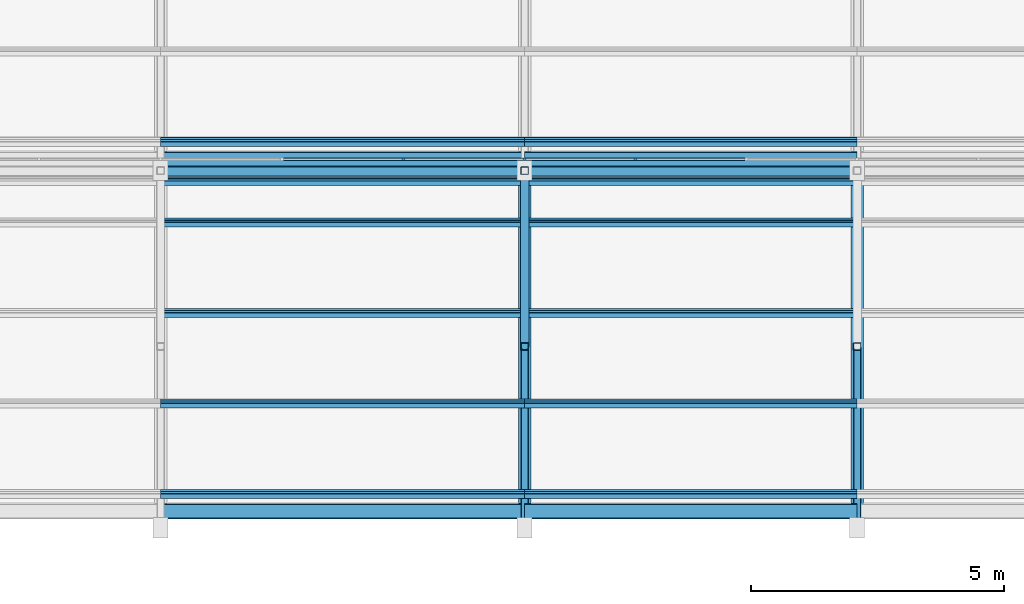
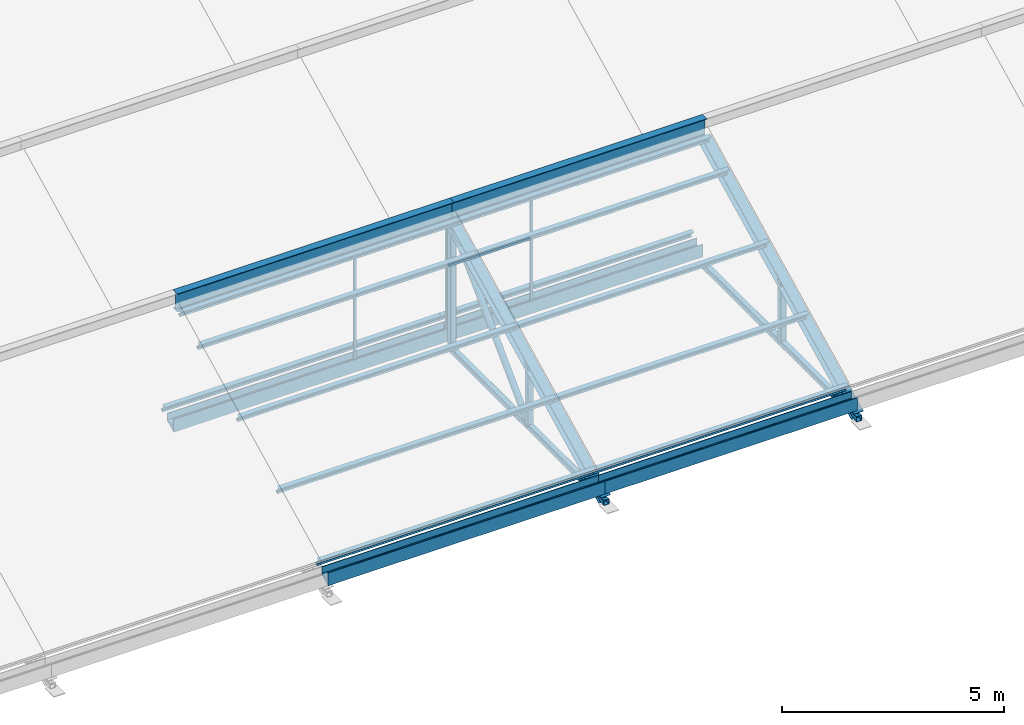
# One storey, part 11 of 83: 33 members, 2 elements without a shape of their own.
"""IFC4 building model written with IfcOpenShell, lengths in metres."""

import ifcopenshell
import ifcopenshell.guid

model = None  # the IFC model being written
_history = None  # IfcOwnerHistory: only IFC2X3 demands one
_inside = {}  # id of a spatial element -> (the spatial element, [elements in it])
_under = {}  # id of a project, library or spatial element -> (it, [spatial elements below it])
_declared = {}  # id of a project -> (the project, [libraries it declares])
_typed = {}  # id of a type object -> (the type object, [elements of that type])
_made_of = {}  # id of a material, layer set ... -> (it, [elements and type objects made of it])


def new_model(schema):
    """Start an empty IFC model of exactly this schema.

    Asked for "IFC4X3", IfcOpenShell would pick the latest addendum, in which some entities
    have other attributes; the version numbers below select the first issue.
    IFC2X3 requires an IfcOwnerHistory on every rooted entity: one is made here for all.
    """
    global model, _history
    if schema == "IFC4X3":
        model = ifcopenshell.file(schema_version=(4, 3, 0, 0))
    else:
        model = ifcopenshell.file(schema=schema)
    _inside.clear()
    _under.clear()
    _declared.clear()
    _typed.clear()
    _made_of.clear()
    _history = None
    if model.schema == "IFC2X3":
        org = make("IfcOrganization", Name="unknown")
        user = make(
            "IfcPersonAndOrganization",
            ThePerson=make("IfcPerson", FamilyName="unknown"),
            TheOrganization=org,
        )
        app = make(
            "IfcApplication",
            ApplicationDeveloper=org,
            Version="unknown",
            ApplicationFullName="unknown",
            ApplicationIdentifier="unknown",
        )
        _history = make(
            "IfcOwnerHistory",
            OwningUser=user,
            OwningApplication=app,
            ChangeAction="ADDED",
            CreationDate=0,
        )
    return model


def make(cls, **values):
    """One entity of the class cls with the attributes given. An attribute that is None is left unset."""
    return model.create_entity(
        cls, **{name: value for name, value in values.items() if value is not None}
    )


def rooted(cls, **values):
    """An entity with a GlobalId (a new one), such as an element, a storey or a relation."""
    return make(cls, GlobalId=ifcopenshell.guid.new(), OwnerHistory=_history, **values)


def si_unit(unit_type, name, prefix=None):
    """IfcSIUnit, for example si_unit("LENGTHUNIT", "METRE", prefix="MILLI")."""
    return make("IfcSIUnit", UnitType=unit_type, Prefix=prefix, Name=name)


def assignment(units):
    """IfcUnitAssignment: the units of a project."""
    return None if units is None else make("IfcUnitAssignment", Units=units)


def point(xyz):
    """IfcCartesianPoint."""
    return None if xyz is None else make("IfcCartesianPoint", Coordinates=xyz)


def direction(xyz):
    """IfcDirection."""
    return None if xyz is None else make("IfcDirection", DirectionRatios=xyz)


def frame(location, z_axis=None, x_axis=None):
    """IfcAxis2Placement3D, a coordinate frame: its origin and axes. An axis left out is left unset."""
    return make(
        "IfcAxis2Placement3D",
        Location=point(location),
        Axis=direction(z_axis),
        RefDirection=direction(x_axis),
    )


def frame_2d(location, x_axis=None):
    """IfcAxis2Placement2D, a coordinate frame in the plane: its origin and x axis."""
    return make(
        "IfcAxis2Placement2D", Location=point(location), RefDirection=direction(x_axis)
    )


def origin():
    """The frame at (0, 0, 0) with its axes left unset."""
    return frame((0.0, 0.0, 0.0))


def origin_2d():
    """The frame at (0, 0) in the plane with its x axis left unset."""
    return frame_2d((0.0, 0.0))


def place(relative_to, where):
    """IfcLocalPlacement: puts the frame where relative to a parent placement (None: the world)."""
    return make(
        "IfcLocalPlacement", PlacementRelTo=relative_to, RelativePlacement=where
    )


def context(
    kind, dimensions, precision=None, world=None, true_north=None, identifier=None
):
    """IfcGeometricRepresentationContext, for example the 3D "Model" context."""
    return make(
        "IfcGeometricRepresentationContext",
        ContextIdentifier=identifier,
        ContextType=kind,
        CoordinateSpaceDimension=dimensions,
        Precision=precision,
        WorldCoordinateSystem=world,
        TrueNorth=true_north,
    )


def subcontext(parent, identifier, kind, view, scale=None):
    """IfcGeometricRepresentationSubContext, for example "Body" below "Model"."""
    return make(
        "IfcGeometricRepresentationSubContext",
        ContextIdentifier=identifier,
        ContextType=kind,
        ParentContext=parent,
        TargetScale=scale,
        TargetView=view,
    )


def project(units=None, contexts=None):
    """IfcProject with its units and contexts."""
    return rooted(
        "IfcProject",
        Name="project",
        RepresentationContexts=contexts,
        UnitsInContext=assignment(units),
    )


def spatial(cls, under=None, at=None, **own):
    """A site, building, storey or space (cls), placed at a placement, below another one or the project."""
    s = rooted(cls, ObjectPlacement=at, **own)
    if under is not None:
        _under.setdefault(under.id(), (under, []))[1].append(s)
    return s


def polyline(points):
    """IfcPolyline through the points."""
    return make("IfcPolyline", Points=[point(p) for p in points])


def profile(cls, at=None, kind="AREA", **sizes):
    """A parametric profile (cls). Its sizes go by their IFC names, for example OverallWidth=200.0."""
    return make(cls, ProfileType=kind, Position=at, **sizes)


def rectangle(**sizes):
    """IfcRectangleProfileDef."""
    return profile("IfcRectangleProfileDef", **sizes)


def hollow_rectangle(**sizes):
    """IfcRectangleHollowProfileDef."""
    return profile("IfcRectangleHollowProfileDef", **sizes)


def hollow_circle(**sizes):
    """IfcCircleHollowProfileDef."""
    return profile("IfcCircleHollowProfileDef", **sizes)


def i_section(**sizes):
    """IfcIShapeProfileDef."""
    return profile("IfcIShapeProfileDef", **sizes)


def outline(outer, holes=None, kind="AREA"):
    """IfcArbitraryClosedProfileDef: a profile drawn as a closed curve; with holes, ...WithVoids."""
    if holes is None:
        return make("IfcArbitraryClosedProfileDef", ProfileType=kind, OuterCurve=outer)
    return make(
        "IfcArbitraryProfileDefWithVoids",
        ProfileType=kind,
        OuterCurve=outer,
        InnerCurves=holes,
    )


def extrude(swept, where, along, depth):
    """IfcExtrudedAreaSolid: the profile swept, set in the frame where, extruded along a direction by depth."""
    return make(
        "IfcExtrudedAreaSolid",
        SweptArea=swept,
        Position=where,
        ExtrudedDirection=direction(along),
        Depth=depth,
    )


def shape(context_of_items, identifier, shape_type, items):
    """IfcShapeRepresentation: the items that make up one representation, for example the "Body"."""
    return make(
        "IfcShapeRepresentation",
        ContextOfItems=context_of_items,
        RepresentationIdentifier=identifier,
        RepresentationType=shape_type,
        Items=items,
    )


def material(Name=None, Category=None):
    """IfcMaterial."""
    return make("IfcMaterial", Name=Name, Category=Category)


def material_profile(
    of_material, cross_section, Name=None, Category=None, Priority=None
):
    """IfcMaterialProfile: a cross section and its material."""
    return make(
        "IfcMaterialProfile",
        Name=Name,
        Material=of_material,
        Profile=cross_section,
        Priority=Priority,
        Category=Category,
    )


def profile_set(profiles, Name=None, composite=None):
    """IfcMaterialProfileSet."""
    return make(
        "IfcMaterialProfileSet",
        Name=Name,
        MaterialProfiles=profiles,
        CompositeProfile=composite,
    )


def made_of(thing, what):
    """Note that an element or type object is made of a material, layer set ...; save() writes the relation."""
    if what is not None:
        _made_of.setdefault(what.id(), (what, []))[1].append(thing)
    return thing


def type_object(cls, material=None, **own):
    """A type object (cls), such as IfcWallType, which elements share."""
    return made_of(rooted(cls, **own), material)


def element(
    cls,
    number,
    at=None,
    inside=None,
    cuts=None,
    type_object=None,
    material=None,
    context=None,
    identifier="Body",
    shape_type=None,
    held_by="IfcProductDefinitionShape",
    body=None,
    shapes=None,
    **own,
):
    """One element of the class cls, such as IfcWall. Its Tag is "e" and its number.

    at: its placement. inside: the storey or other place that contains it. cuts: it is an
    opening in that element (IfcRelVoidsElement). A single representation is given by context,
    identifier, shape_type and body (its items); several are given by shapes. held_by: the class
    of the entity that holds the representations. save() writes the other relations.
    """
    e = rooted(cls, Tag="e%d" % number, ObjectPlacement=at, **own)
    if body is not None:
        shapes = [shape(context, identifier, shape_type, body)]
    if shapes is not None:
        e.Representation = make(held_by, Representations=shapes)
    if inside is not None:
        _inside.setdefault(inside.id(), (inside, []))[1].append(e)
    if cuts is not None:
        rooted(
            "IfcRelVoidsElement", RelatingBuildingElement=cuts, RelatedOpeningElement=e
        )
    if type_object is not None:
        _typed.setdefault(type_object.id(), (type_object, []))[1].append(e)
    return made_of(e, material)


def aggregate(whole, parts):
    """IfcRelAggregates: a whole, such as a stair, and the parts it consists of."""
    return rooted("IfcRelAggregates", RelatingObject=whole, RelatedObjects=parts)


def save(model, path):
    """Write the relations noted so far, then the file.

    IfcRelAggregates (storeys below a building ...), IfcRelContainedInSpatialStructure (elements
    in a storey), IfcRelDefinesByType, IfcRelAssociatesMaterial and IfcRelDeclares: one each for
    every whole, place, type object, material and project.
    """
    for whole, parts in _under.values():
        aggregate(whole, parts)
    for where, things in _inside.values():
        rooted(
            "IfcRelContainedInSpatialStructure",
            RelatedElements=things,
            RelatingStructure=where,
        )
    for kind, things in _typed.values():
        rooted("IfcRelDefinesByType", RelatedObjects=things, RelatingType=kind)
    for what, things in _made_of.values():
        rooted("IfcRelAssociatesMaterial", RelatedObjects=things, RelatingMaterial=what)
    for by, libraries in _declared.values():
        rooted("IfcRelDeclares", RelatingContext=by, RelatedDefinitions=libraries)
    model.write(path)


model = new_model("IFC4")

# Units and contexts
model_context = context("Model", 3, precision=1e-05, world=origin(), true_north=direction((0.0, 1.0)))
body_context = subcontext(model_context, "Body", "Model", "MODEL_VIEW")
ifc_project = project(units=[si_unit("LENGTHUNIT", "METRE"), si_unit("AREAUNIT", "SQUARE_METRE"), si_unit("VOLUMEUNIT", "CUBIC_METRE"), si_unit("PLANEANGLEUNIT", "RADIAN"), si_unit("MASSUNIT", "GRAM", prefix="KILO")], contexts=[model_context])

# Site, building, storey
site_placement = place(None, origin())
site = spatial("IfcSite", under=ifc_project, at=site_placement, CompositionType="ELEMENT")
building_placement = place(site_placement, origin())
building = spatial("IfcBuilding", under=site, at=building_placement, Name="Silangan Lancet Faculty of Sciences", CompositionType="ELEMENT")
storey_placement = place(building_placement, frame((0.0, 0.0, 11.39990234375)))
storey = spatial("IfcBuildingStorey", under=building, at=storey_placement, Name="L02", CompositionType="ELEMENT", Elevation=11.39990234375)

# Members
ifc_material_1 = material(Name="Steel SS400", Category="steel")
ifc_material_profile_1 = material_profile(ifc_material_1, i_section(OverallWidth=0.199951171875, OverallDepth=0.5, WebThickness=0.010009765625, FlangeThickness=0.01611328125, FilletRadius=0.02001953125, at=origin_2d()), Name="H 500x200x10x16")
ifc_profile_set_1 = profile_set([ifc_material_profile_1], Name="Steel SS400")
member_type_1 = type_object("IfcMemberType", Name="Exposed ridge beam H 500x200x10x16", PredefinedType="MEMBER", material=ifc_profile_set_1)
member_1_placement = place(storey_placement, frame((43.824951171875, 7.191650390625, 3.9326171875), z_axis=(1.0, 0.0, 0.0), x_axis=(0.0, 1.0, 0.0)))
element("IfcMember", 1, at=member_1_placement, inside=storey, type_object=member_type_1, Name="Exposed ridge beam SAB-1-3", PredefinedType="MEMBER", context=body_context, shape_type="SweptSolid", body=[
    extrude(i_section(OverallWidth=0.199951171875, OverallDepth=0.5, WebThickness=0.010009765625, FlangeThickness=0.01611328125, FilletRadius=0.02001953125, at=origin_2d()), origin(), (0.0, 0.0, 1.0), 7.199951171875),
])
member_2_placement = place(storey_placement, frame((51.02490234375, 7.191650390625, 3.9326171875), z_axis=(1.0, 0.0, 0.0), x_axis=(0.0, 1.0, 0.0)))
element("IfcMember", 2, at=member_2_placement, inside=storey, type_object=member_type_1, Name="Exposed ridge beam SAB-1-4", PredefinedType="MEMBER", context=body_context, shape_type="SweptSolid", body=[
    extrude(i_section(OverallWidth=0.199951171875, OverallDepth=0.5, WebThickness=0.010009765625, FlangeThickness=0.01611328125, FilletRadius=0.02001953125, at=origin_2d()), origin(), (0.0, 0.0, 1.0), 6.5751953125),
])

# Curtain wall, member
ifc_material_2 = material(Name="Aluminium and laminated glass", Category="aluminium")
curtain_wall_type = type_object("IfcCurtainWallType", Name="North light glazing system", PredefinedType="NOTDEFINED", material=ifc_material_2)
curtain_wall_1_placement = place(storey_placement, origin())
curtain_wall_1 = element("IfcCurtainWall", 3, at=curtain_wall_1_placement, inside=storey, type_object=curtain_wall_type, Name="North light glazing SAB-1-3", PredefinedType="NOTDEFINED")
ifc_material_3 = material(Name="Aluminium 6063-T6", Category="aluminium")
ifc_material_profile_2 = material_profile(ifc_material_3, rectangle(XDim=0.06005859375, YDim=0.050048828125, at=origin_2d()), Name="AL 60x50")
ifc_profile_set_2 = profile_set([ifc_material_profile_2], Name="Aluminium 6063-T6")
member_type_2 = type_object("IfcMemberType", Name="North light mullion 60x50", PredefinedType="MULLION", material=ifc_profile_set_2)
member_3_placement = place(storey_placement, frame((48.625, 7.416748046875, 0.4423828125), z_axis=(0.0, 0.0, 1.0), x_axis=(1.0, 0.0, 0.0)))
member_3 = element("IfcMember", 4, at=member_3_placement, type_object=member_type_2, Name="North light mullion SAB-1-3 3", PredefinedType="MULLION", context=body_context, shape_type="SweptSolid", body=[
    extrude(rectangle(XDim=0.06005859375, YDim=0.050048828125, at=origin_2d()), origin(), (0.0, 0.0, 1.0), 3.595947265625),
])

# Curtain wall, members
curtain_wall_2_placement = place(storey_placement, origin())
curtain_wall_2 = element("IfcCurtainWall", 5, at=curtain_wall_2_placement, inside=storey, type_object=curtain_wall_type, Name="North light glazing SAB-1-4", PredefinedType="NOTDEFINED")
member_4_placement = place(storey_placement, frame((51.02490234375, 7.416748046875, 0.4423828125), z_axis=(0.0, 0.0, 1.0), x_axis=(1.0, 0.0, 0.0)))
member_4 = element("IfcMember", 6, at=member_4_placement, type_object=member_type_2, Name="North light mullion SAB-1-4 1", PredefinedType="MULLION", context=body_context, shape_type="SweptSolid", body=[
    extrude(rectangle(XDim=0.06005859375, YDim=0.050048828125, at=origin_2d()), origin(), (0.0, 0.0, 1.0), 3.595947265625),
])
member_5_placement = place(storey_placement, frame((53.216796875, 7.416748046875, 0.4423828125), z_axis=(0.0, 0.0, 1.0), x_axis=(1.0, 0.0, 0.0)))
member_5 = element("IfcMember", 7, at=member_5_placement, type_object=member_type_2, Name="North light mullion SAB-1-4 2", PredefinedType="MULLION", context=body_context, shape_type="SweptSolid", body=[
    extrude(rectangle(XDim=0.06005859375, YDim=0.050048828125, at=origin_2d()), origin(), (0.0, 0.0, 1.0), 3.595947265625),
])

# Member
ifc_material_4 = material(Name="Aluminium 6063-T6", Category="aluminium")
ifc_material_profile_3 = material_profile(ifc_material_4, rectangle(XDim=0.050048828125, YDim=0.06005859375, at=origin_2d()), Name="AL 50x60")
ifc_profile_set_3 = profile_set([ifc_material_profile_3], Name="Aluminium 6063-T6")
member_type_3 = type_object("IfcMemberType", Name="North light transom 50x60", PredefinedType="USERDEFINED", material=ifc_profile_set_3)
member_6_placement = place(storey_placement, frame((46.2548828125, 7.416748046875, 2.240478515625), z_axis=(1.0, 0.0, 0.0), x_axis=(0.0, 1.0, 0.0)))
member_6 = element("IfcMember", 8, at=member_6_placement, type_object=member_type_3, Name="North light transom SAB-1-3 2", ObjectType="TRANSOM", PredefinedType="USERDEFINED", context=body_context, shape_type="SweptSolid", body=[
    extrude(rectangle(XDim=0.050048828125, YDim=0.06005859375, at=origin_2d()), origin(), (0.0, 0.0, 1.0), 2.340087890625),
])

member_7_placement = place(storey_placement, frame((48.655029296875, 7.416748046875, 2.240478515625), z_axis=(1.0, 0.0, 0.0), x_axis=(0.0, 1.0, 0.0)))
member_7 = element("IfcMember", 9, at=member_7_placement, type_object=member_type_3, Name="North light transom SAB-1-3 3", ObjectType="TRANSOM", PredefinedType="USERDEFINED", context=body_context, shape_type="SweptSolid", body=[
    extrude(rectangle(XDim=0.050048828125, YDim=0.06005859375, at=origin_2d()), origin(), (0.0, 0.0, 1.0), 2.340087890625),
])

aggregate(curtain_wall_1, [member_3, member_6, member_7])

member_8_placement = place(storey_placement, frame((51.054931640625, 7.416748046875, 2.240478515625), z_axis=(1.0, 0.0, 0.0), x_axis=(0.0, 1.0, 0.0)))
member_8 = element("IfcMember", 10, at=member_8_placement, type_object=member_type_3, Name="North light transom SAB-1-4 1", ObjectType="TRANSOM", PredefinedType="USERDEFINED", context=body_context, shape_type="SweptSolid", body=[
    extrude(rectangle(XDim=0.050048828125, YDim=0.06005859375, at=origin_2d()), origin(), (0.0, 0.0, 1.0), 2.1318359375),
])

member_9_placement = place(storey_placement, frame((53.24658203125, 7.416748046875, 2.240478515625), z_axis=(1.0, 0.0, 0.0), x_axis=(0.0, 1.0, 0.0)))
member_9 = element("IfcMember", 11, at=member_9_placement, type_object=member_type_3, Name="North light transom SAB-1-4 2", ObjectType="TRANSOM", PredefinedType="USERDEFINED", context=body_context, shape_type="SweptSolid", body=[
    extrude(rectangle(XDim=0.050048828125, YDim=0.06005859375, at=origin_2d()), origin(), (0.0, 0.0, 1.0), 2.1318359375),
])

aggregate(curtain_wall_2, [member_4, member_5, member_8, member_9])

# Members
ifc_material_5 = material(Name="Steel SS400", Category="steel")
ifc_material_profile_4 = material_profile(ifc_material_5, i_section(OverallWidth=0.10009765625, OverallDepth=0.199951171875, WebThickness=0.005615234375, FlangeThickness=0.008056640625, FilletRadius=0.008056640625, at=origin_2d()), Name="H 200x100x5.5x8")
ifc_profile_set_4 = profile_set([ifc_material_profile_4], Name="Steel SS400")
member_type_4 = type_object("IfcMemberType", Name="Sheeting purlin H 200x100x5.5x8", PredefinedType="PURLIN", material=ifc_profile_set_4)
for number, where, z_axis, x_axis, name in (
    (12, (43.824951171875, 0.80029296875, 0.6318359375), (1.0, 0.0, 0.0), (0.0, 0.894427192382, 0.447213592736), "Sheeting purlin SAB-1-3 1"),
    (13, (43.824951171875, 2.589111328125, 1.526123046875), (1.0, 0.0, 0.0), (0.0, 0.894427192382, 0.447213592736), "Sheeting purlin SAB-1-3 2"),
    (14, (43.824951171875, 4.3779296875, 2.420654296875), (1.0, 0.0, 0.0), (0.0, 0.894427192382, 0.447213592736), "Sheeting purlin SAB-1-3 3"),
    (15, (43.824951171875, 6.166748046875, 3.31494140625), (1.0, 0.0, 0.0), (0.0, 0.894427192382, 0.447213592736), "Sheeting purlin SAB-1-3 4"),
    (16, (43.824951171875, 6.983642578125, 3.723388671875), (1.0, 0.0, 0.0), (0.0, 0.894427192382, 0.447213592736), "Sheeting purlin SAB-1-3 5"),
    (17, (43.824951171875, 7.761962890625, 0.6318359375), (1.0, 0.0, 0.0), (0.0, 0.894427192382, 0.447213592736), "Sheeting purlin SAB-2-3 1"),
):
    element("IfcMember", number, at=place(storey_placement, frame(where, z_axis=z_axis, x_axis=x_axis)), inside=storey, type_object=member_type_4, Name=name, PredefinedType="PURLIN", context=body_context, shape_type="SweptSolid", body=[
        extrude(i_section(OverallWidth=0.10009765625, OverallDepth=0.199951171875, WebThickness=0.005615234375, FlangeThickness=0.008056640625, FilletRadius=0.008056640625, at=origin_2d()), origin(), (0.0, 0.0, 1.0), 7.199951171875),
    ])
for number, where, z_axis, x_axis, name in (
    (18, (51.02490234375, 0.80029296875, 0.6318359375), (1.0, 0.0, 0.0), (0.0, 0.894427192382, 0.447213592736), "Sheeting purlin SAB-1-4 1"),
    (19, (51.02490234375, 2.589111328125, 1.526123046875), (1.0, 0.0, 0.0), (0.0, 0.894427192382, 0.447213592736), "Sheeting purlin SAB-1-4 2"),
    (20, (51.02490234375, 4.3779296875, 2.420654296875), (1.0, 0.0, 0.0), (0.0, 0.894427192382, 0.447213592736), "Sheeting purlin SAB-1-4 3"),
    (21, (51.02490234375, 6.166748046875, 3.31494140625), (1.0, 0.0, 0.0), (0.0, 0.894427192382, 0.447213592736), "Sheeting purlin SAB-1-4 4"),
    (22, (51.02490234375, 6.983642578125, 3.723388671875), (1.0, 0.0, 0.0), (0.0, 0.894427192382, 0.447213592736), "Sheeting purlin SAB-1-4 5"),
    (23, (51.02490234375, 7.761962890625, 0.6318359375), (1.0, 0.0, 0.0), (0.0, 0.894427192382, 0.447213592736), "Sheeting purlin SAB-2-4 1"),
):
    element("IfcMember", number, at=place(storey_placement, frame(where, z_axis=z_axis, x_axis=x_axis)), inside=storey, type_object=member_type_4, Name=name, PredefinedType="PURLIN", context=body_context, shape_type="SweptSolid", body=[
        extrude(i_section(OverallWidth=0.10009765625, OverallDepth=0.199951171875, WebThickness=0.005615234375, FlangeThickness=0.008056640625, FilletRadius=0.008056640625, at=origin_2d()), origin(), (0.0, 0.0, 1.0), 6.5751953125),
    ])
ifc_material_6 = material(Name="Steel STKR400", Category="steel")
ifc_material_profile_5 = material_profile(ifc_material_6, hollow_rectangle(XDim=0.14990234375, YDim=0.14990234375, WallThickness=0.009033203125, InnerFilletRadius=0.009033203125, OuterFilletRadius=0.01806640625, at=origin_2d()), Name="SHS 150x150x9.0")
ifc_profile_set_5 = profile_set([ifc_material_profile_5], Name="Steel STKR400")
member_type_5 = type_object("IfcMemberType", Name="Truss bottom chord SHS 150x150x9.0", PredefinedType="CHORD", material=ifc_profile_set_5)
for number, where, z_axis, x_axis, name in (
    (24, (51.02490234375, 0.22998046875, 0.09521484375), (0.0, 1.0, 0.0), (-1.0, 0.0, 0.0), "Truss 4 bottom chord 1"),
    (25, (57.60009765625, 0.22998046875, 0.09521484375), (0.0, 1.0, 0.0), (-1.0, 0.0, 0.0), "Truss 5 bottom chord 1"),
):
    element("IfcMember", number, at=place(storey_placement, frame(where, z_axis=z_axis, x_axis=x_axis)), inside=storey, type_object=member_type_5, Name=name, PredefinedType="CHORD", context=body_context, shape_type="SweptSolid", body=[
        extrude(hollow_rectangle(XDim=0.14990234375, YDim=0.14990234375, WallThickness=0.009033203125, InnerFilletRadius=0.009033203125, OuterFilletRadius=0.01806640625, at=origin_2d()), origin(), (0.0, 0.0, 1.0), 6.961669921875),
    ])
ifc_material_7 = material(Name="Steel STK400", Category="steel")
ifc_material_profile_6 = material_profile(ifc_material_7, hollow_circle(Radius=0.08251953125, WallThickness=0.0048828125, at=origin_2d()), Name="CHS 165.2x5.0")
ifc_profile_set_6 = profile_set([ifc_material_profile_6], Name="Steel STK400")
member_type_6 = type_object("IfcMemberType", Name="Truss diagonal CHS 165.2x5.0", PredefinedType="BRACE", material=ifc_profile_set_6)
member_10_placement = place(storey_placement, frame((51.02490234375, 3.710693359375, 0.09521484375), z_axis=(0.0, 0.707131578465, 0.707081983039), x_axis=(-1.0, 0.0, 0.0)))
element("IfcMember", 26, at=member_10_placement, inside=storey, type_object=member_type_6, Name="Truss 4 diagonal 1", PredefinedType="BRACE", context=body_context, shape_type="SweptSolid", body=[
    extrude(hollow_circle(Radius=0.08251953125, WallThickness=0.0048828125, at=origin_2d()), origin(), (0.0, 0.0, 1.0), 4.922607421875),
])
ifc_material_8 = material(Name="Steel STKR400", Category="steel")
ifc_material_profile_7 = material_profile(ifc_material_8, hollow_rectangle(XDim=0.14990234375, YDim=0.14990234375, WallThickness=0.006103515625, InnerFilletRadius=0.006103515625, OuterFilletRadius=0.011962890625, at=origin_2d()), Name="SHS 150x150x6.0")
ifc_profile_set_7 = profile_set([ifc_material_profile_7], Name="Steel STKR400")
member_type_7 = type_object("IfcMemberType", Name="Truss post SHS 150x150x6.0", PredefinedType="POST", material=ifc_profile_set_7)
member_11_placement = place(storey_placement, frame((51.02490234375, 7.191650390625, 0.09521484375), z_axis=(0.0, 0.0, 1.0), x_axis=(1.0, 0.0, 0.0)))
element("IfcMember", 27, at=member_11_placement, inside=storey, type_object=member_type_7, Name="Truss 4 riser post 1", PredefinedType="POST", context=body_context, shape_type="SweptSolid", body=[
    extrude(hollow_rectangle(XDim=0.14990234375, YDim=0.14990234375, WallThickness=0.006103515625, InnerFilletRadius=0.006103515625, OuterFilletRadius=0.011962890625, at=origin_2d()), origin(), (0.0, 0.0, 1.0), 3.480712890625),
])
for number, where, z_axis, x_axis, name in (
    (28, (51.02490234375, 3.710693359375, 0.09521484375), (0.0, 0.0, 1.0), (1.0, 0.0, 0.0), "Truss 4 mid post 1"),
    (29, (57.60009765625, 3.710693359375, 0.09521484375), (0.0, 0.0, 1.0), (1.0, 0.0, 0.0), "Truss 5 mid post 1"),
):
    element("IfcMember", number, at=place(storey_placement, frame(where, z_axis=z_axis, x_axis=x_axis)), inside=storey, type_object=member_type_7, Name=name, PredefinedType="POST", context=body_context, shape_type="SweptSolid", body=[
        extrude(hollow_rectangle(XDim=0.14990234375, YDim=0.14990234375, WallThickness=0.006103515625, InnerFilletRadius=0.006103515625, OuterFilletRadius=0.011962890625, at=origin_2d()), origin(), (0.0, 0.0, 1.0), 1.740234375),
    ])
ifc_material_9 = material(Name="Steel SS400", Category="steel")
ifc_material_profile_8 = material_profile(ifc_material_9, i_section(OverallWidth=0.25, OverallDepth=0.25, WebThickness=0.009033203125, FlangeThickness=0.013916015625, FilletRadius=0.01611328125, at=origin_2d()), Name="H 250x250x9x14")
ifc_profile_set_8 = profile_set([ifc_material_profile_8], Name="Steel SS400")
member_type_8 = type_object("IfcMemberType", Name="Truss top chord H 250x250x9x14", PredefinedType="CHORD", material=ifc_profile_set_8)
for number, where, z_axis, x_axis, name in (
    (30, (51.02490234375, 0.310546875, 0.13525390625), (0.0, 0.894420844124, 0.447226289027), (-1.0, 0.0, 0.0), "Truss 4 top chord 1"),
    (31, (57.60009765625, 0.310546875, 0.13525390625), (0.0, 0.894420844124, 0.447226289027), (-1.0, 0.0, 0.0), "Truss 5 top chord 1"),
):
    element("IfcMember", number, at=place(storey_placement, frame(where, z_axis=z_axis, x_axis=x_axis)), inside=storey, type_object=member_type_8, Name=name, PredefinedType="CHORD", context=body_context, shape_type="SweptSolid", body=[
        extrude(i_section(OverallWidth=0.25, OverallDepth=0.25, WebThickness=0.009033203125, FlangeThickness=0.013916015625, FilletRadius=0.01611328125, at=origin_2d()), origin(), (0.0, 0.0, 1.0), 7.693359375),
    ])
ifc_material_10 = material(Name="Stainless steel", Category="steel")
ifc_material_profile_9 = material_profile(ifc_material_10, outline(polyline([(-0.14990234375, 0.0), (0.14990234375, 0.14990234375), (0.14990234375, 0.35009765625), (0.1298828125, 0.35009765625), (0.1298828125, 0.169921875), (-0.1298828125, 0.169921875), (-0.1298828125, 0.35009765625), (-0.14990234375, 0.35009765625), (-0.14990234375, 0.0)])), Name="valley gutter")
ifc_profile_set_9 = profile_set([ifc_material_profile_9], Name="Stainless steel")
member_type_9 = type_object("IfcMemberType", Name="Valley gutter 300 wide", PredefinedType="USERDEFINED", material=ifc_profile_set_9)
for number, where, z_axis, x_axis, name in (
    (32, (43.824951171875, 0.455078125, 0.2724609375), (1.0, 0.0, 0.0), (0.0, 1.0, 0.0), "Valley gutter SAB-1-3"),
    (33, (43.824951171875, 7.416748046875, 0.2724609375), (1.0, 0.0, 0.0), (0.0, 1.0, 0.0), "Valley gutter SAB-2-3"),
):
    element("IfcMember", number, at=place(storey_placement, frame(where, z_axis=z_axis, x_axis=x_axis)), inside=storey, type_object=member_type_9, Name=name, ObjectType="GUTTER", PredefinedType="USERDEFINED", context=body_context, shape_type="SweptSolid", body=[
        extrude(outline(polyline([(-0.14990234375, 0.0), (0.14990234375, 0.14990234375), (0.14990234375, 0.35009765625), (0.1298828125, 0.35009765625), (0.1298828125, 0.169921875), (-0.1298828125, 0.169921875), (-0.1298828125, 0.35009765625), (-0.14990234375, 0.35009765625), (-0.14990234375, 0.0)])), origin(), (0.0, 0.0, 1.0), 7.199951171875),
    ])
for number, where, z_axis, x_axis, name in (
    (34, (51.02490234375, 0.455078125, 0.2724609375), (1.0, 0.0, 0.0), (0.0, 1.0, 0.0), "Valley gutter SAB-1-4"),
    (35, (51.02490234375, 7.416748046875, 0.2724609375), (1.0, 0.0, 0.0), (0.0, 1.0, 0.0), "Valley gutter SAB-2-4"),
):
    element("IfcMember", number, at=place(storey_placement, frame(where, z_axis=z_axis, x_axis=x_axis)), inside=storey, type_object=member_type_9, Name=name, ObjectType="GUTTER", PredefinedType="USERDEFINED", context=body_context, shape_type="SweptSolid", body=[
        extrude(outline(polyline([(-0.14990234375, 0.0), (0.14990234375, 0.14990234375), (0.14990234375, 0.35009765625), (0.1298828125, 0.35009765625), (0.1298828125, 0.169921875), (-0.1298828125, 0.169921875), (-0.1298828125, 0.35009765625), (-0.14990234375, 0.35009765625), (-0.14990234375, 0.0)])), origin(), (0.0, 0.0, 1.0), 6.5751953125),
    ])

save(model, "model.ifc")
